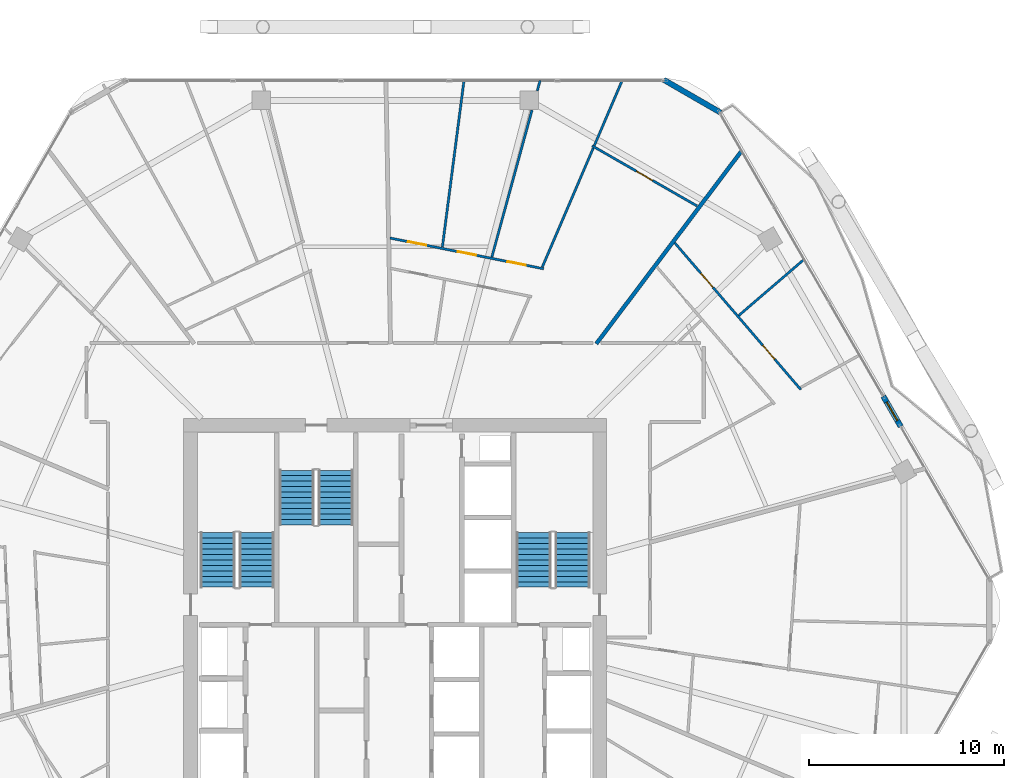
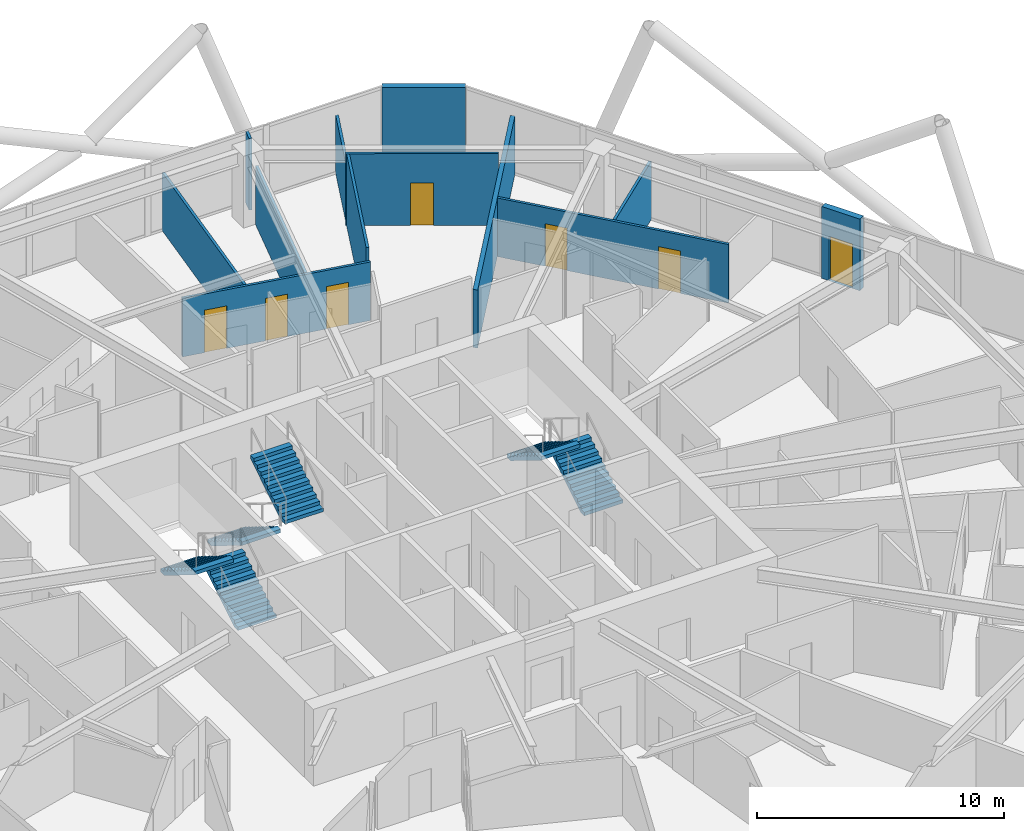
# One storey, part 26 of 29: 12 walls, 7 doors, 6 stair flights, 7 openings, 3 elements without a shape of their own.
"""IFC4 building model written with IfcOpenShell, lengths in metres."""

from ifc_helpers import new_model, si_unit, direction, frame, frame_2d, origin, place, context, subcontext, project, spatial, polyline, rectangle, outline, extrude, material, layer, layer_set, type_object, element, fill, aggregate, save


model = new_model("IFC4")

# Units and contexts
model_context = context("Model", 3, precision=1e-05, world=origin(), true_north=direction((0.0, 1.0)))
body_context = subcontext(model_context, "Body", "Model", "MODEL_VIEW")
ifc_project = project(units=[si_unit("LENGTHUNIT", "METRE"), si_unit("AREAUNIT", "SQUARE_METRE"), si_unit("VOLUMEUNIT", "CUBIC_METRE"), si_unit("PLANEANGLEUNIT", "RADIAN"), si_unit("MASSUNIT", "GRAM", prefix="KILO")], contexts=[model_context])

# Site, building, storey
site_placement = place(None, origin())
site = spatial("IfcSite", under=ifc_project, at=site_placement, CompositionType="ELEMENT")
building_placement = place(site_placement, origin())
building = spatial("IfcBuilding", under=site, at=building_placement, Name="Zuhravey Tower", CompositionType="ELEMENT")
storey_placement = place(building_placement, frame((0.0, 0.0, 192.199951171875)))
storey = spatial("IfcBuildingStorey", under=building, at=storey_placement, Name="L48", CompositionType="ELEMENT", Elevation=192.199951171875)

# Wall
ifc_material_1 = material(Name="Precast concrete C40/50", Category="concrete")
ifc_layer_1 = layer(ifc_material_1, 0.280029296875)
ifc_layer_set_1 = layer_set([ifc_layer_1], Name="Precast concrete C40/50")
wall_type_1 = type_object("IfcWallType", Name="Crown Architectural Wall 280", PredefinedType="SOLIDWALL", material=ifc_layer_set_1)
wall_1_placement = place(storey_placement, frame((49.77880859375, 59.230712890625, 0.0), z_axis=(0.0, 0.0, 1.0), x_axis=(0.866020068361, -0.500009241111, 0.0)))
element("IfcWall", 1, at=wall_1_placement, inside=storey, type_object=wall_type_1, Name="L48 Rounded Corner Closure Wall EW28-10", PredefinedType="SOLIDWALL", context=body_context, shape_type="SweptSolid", body=[
    extrude(rectangle(XDim=3.365234375, YDim=0.280029296875, at=frame_2d((1.6826171875, 0.0))), origin(), (0.0, 0.0, 1.0), 3.550048828125),
])

# Wall, opening, door
wall_2_placement = place(storey_placement, frame((61.041015625, 42.993896484375, 0.0), z_axis=(0.0, 0.0, 1.0), x_axis=(0.500041240653, -0.866001592173, 0.0)))
wall_2 = element("IfcWall", 2, at=wall_2_placement, inside=storey, type_object=wall_type_1, Name="L48 Face 1 Facade Pier EW28-1", PredefinedType="SOLIDWALL", context=body_context, shape_type="SweptSolid", body=[
    extrude(rectangle(XDim=1.789794921875, YDim=0.280029296875, at=frame_2d((0.89501953125, 0.0))), origin(), (0.0, 0.0, 1.0), 3.550048828125),
])
opening_1_placement = place(wall_2_placement, frame((0.344970703125, 0.0, 0.0)))
opening_1 = element("IfcOpeningElement", 3, at=opening_1_placement, cuts=wall_2, Name="Opening BLD1", PredefinedType="OPENING", context=body_context, shape_type="SweptSolid", body=[
    extrude(rectangle(XDim=1.10009765625, YDim=2.199951171875, at=frame_2d((0.550048828125, 1.10009765625))), frame((0.0, 0.152099609375, 0.0), z_axis=(0.0, -1.0, 0.0), x_axis=(1.0, 0.0, 0.0)), (0.0, 0.0, 1.0), 0.303955078125),
])
ifc_material_2 = material(Name="Thermally broken aluminium and low-E glass", Category="aluminium")
door_type_1 = type_object("IfcDoorType", Name="Balcony & Sky-Tray Glazed Door 1100x2200", OperationType="NOTDEFINED", PredefinedType="DOOR", material=ifc_material_2)
door_1_placement = place(opening_1_placement, frame((1.10009765625, 0.0, 0.0), z_axis=(0.0, 0.0, 1.0), x_axis=(-1.0, 0.0, 0.0)))
door_1 = element("IfcDoor", 4, at=door_1_placement, inside=storey, type_object=door_type_1, Name="L48 Face 1 Wave Balcony Door", OperationType="SINGLE_SWING_RIGHT", OverallHeight=2.199951171875, OverallWidth=1.10009765625, PredefinedType="DOOR", context=body_context, shape_type="SweptSolid", body=[
    extrude(rectangle(XDim=1.10009765625, YDim=2.199951171875, at=frame_2d((0.550048828125, 1.10009765625))), frame((0.0, 0.02490234375, 0.0), z_axis=(0.0, -1.0, 0.0), x_axis=(1.0, 0.0, 0.0)), (0.0, 0.0, 1.0), 0.050048828125),
])
fill(opening_1, door_1)

# Wall
ifc_material_3 = material(Name="Gypsum double-stud party assembly")
ifc_layer_2 = layer(ifc_material_3, 0.199951171875)
ifc_layer_set_2 = layer_set([ifc_layer_2], Name="Gypsum double-stud party assembly")
wall_type_2 = type_object("IfcWallType", Name="Inter-Tenancy Party Wall 200", PredefinedType="PARTITIONING", material=ifc_layer_set_2)
wall_3_placement = place(storey_placement, frame((46.316162109375, 45.68994140625, 0.0), z_axis=(0.0, 0.0, 1.0), x_axis=(0.601811441108, 0.798638209299, 0.0)))
element("IfcWall", 5, at=wall_3_placement, inside=storey, type_object=wall_type_2, Name="L48 IW20 Partition 073", PredefinedType="PARTITIONING", context=body_context, shape_type="SweptSolid", body=[
    extrude(rectangle(XDim=12.388916015625, YDim=0.199951171875, at=frame_2d((6.1943359375, 0.0))), origin(), (0.0, 0.0, 1.0), 2.8701171875),
])

# Wall, openings, doors
ifc_material_4 = material(Name="Gypsum metal-stud partition")
ifc_layer_3 = layer(ifc_material_4, 0.1201171875)
ifc_layer_set_3 = layer_set([ifc_layer_3], Name="Gypsum metal-stud partition")
wall_type_3 = type_object("IfcWallType", Name="Unit Internal Partition 120", PredefinedType="PARTITIONING", material=ifc_layer_set_3)
wall_4_placement = place(storey_placement, frame((56.809814453125, 43.335693359375, 0.0), z_axis=(0.0, 0.0, 1.0), x_axis=(-0.651575392226, 0.75858388346, 0.0)))
wall_4 = element("IfcWall", 6, at=wall_4_placement, inside=storey, type_object=wall_type_3, Name="L48 IW12 Partition 021", PredefinedType="PARTITIONING", context=body_context, shape_type="SweptSolid", body=[
    extrude(rectangle(XDim=9.919921875, YDim=0.1201171875, at=frame_2d((4.9599609375, 0.0))), origin(), (0.0, 0.0, 1.0), 2.900146484375),
])
opening_2_placement = place(wall_4_placement, frame((2.054931640625, 0.0, 0.0)))
opening_2 = element("IfcOpeningElement", 7, at=opening_2_placement, cuts=wall_4, Name="Opening IND1", PredefinedType="OPENING", context=body_context, shape_type="SweptSolid", body=[
    extrude(rectangle(XDim=0.949951171875, YDim=2.10009765625, at=frame_2d((0.47509765625, 1.050048828125))), frame((0.0, 0.072021484375, 0.0), z_axis=(0.0, -1.0, 0.0), x_axis=(1.0, 0.0, 0.0)), (0.0, 0.0, 1.0), 0.14404296875),
])
opening_3_placement = place(wall_4_placement, frame((6.914794921875, 0.0, 0.0)))
opening_3 = element("IfcOpeningElement", 8, at=opening_3_placement, cuts=wall_4, Name="Opening IND1", PredefinedType="OPENING", context=body_context, shape_type="SweptSolid", body=[
    extrude(rectangle(XDim=0.949951171875, YDim=2.10009765625, at=frame_2d((0.47509765625, 1.050048828125))), frame((0.0, 0.072021484375, 0.0), z_axis=(0.0, -1.0, 0.0), x_axis=(1.0, 0.0, 0.0)), (0.0, 0.0, 1.0), 0.14404296875),
])
ifc_material_5 = material(Name="Painted engineered timber leaf", Category="wood")
door_type_2 = type_object("IfcDoorType", Name="Internal Room & Bedroom Door 950x2100", OperationType="NOTDEFINED", PredefinedType="DOOR", material=ifc_material_5)
door_2_placement = place(opening_2_placement, frame((0.949951171875, 0.0, 0.0), z_axis=(0.0, 0.0, 1.0), x_axis=(-1.0, 0.0, 0.0)))
door_2 = element("IfcDoor", 9, at=door_2_placement, inside=storey, type_object=door_type_2, Name="Apartment L48-01 Bedroom 1 Door", OperationType="SINGLE_SWING_LEFT", OverallHeight=2.10009765625, OverallWidth=0.949951171875, PredefinedType="DOOR", context=body_context, shape_type="SweptSolid", body=[
    extrude(rectangle(XDim=0.949951171875, YDim=2.10009765625, at=frame_2d((0.47509765625, 1.050048828125))), frame((0.0, 0.02490234375, 0.0), z_axis=(0.0, -1.0, 0.0), x_axis=(1.0, 0.0, 0.0)), (0.0, 0.0, 1.0), 0.050048828125),
])
fill(opening_2, door_2)
door_3_placement = place(opening_3_placement, frame((0.949951171875, 0.0, 0.0), z_axis=(0.0, 0.0, 1.0), x_axis=(-1.0, 0.0, 0.0)))
door_3 = element("IfcDoor", 10, at=door_3_placement, inside=storey, type_object=door_type_2, Name="Apartment L48-01 Bedroom 2 Door", OperationType="SINGLE_SWING_RIGHT", OverallHeight=2.10009765625, OverallWidth=0.949951171875, PredefinedType="DOOR", context=body_context, shape_type="SweptSolid", body=[
    extrude(rectangle(XDim=0.949951171875, YDim=2.10009765625, at=frame_2d((0.47509765625, 1.050048828125))), frame((0.0, 0.02490234375, 0.0), z_axis=(0.0, -1.0, 0.0), x_axis=(1.0, 0.0, 0.0)), (0.0, 0.0, 1.0), 0.050048828125),
])
fill(opening_3, door_3)

# Wall, opening, door
wall_5_placement = place(storey_placement, frame((51.484619140625, 52.75830078125, 0.0), z_axis=(0.0, 0.0, 1.0), x_axis=(-0.86742606269, 0.497566101907, 0.0)))
wall_5 = element("IfcWall", 11, at=wall_5_placement, inside=storey, type_object=wall_type_3, Name="L48 IW12 Partition 023", PredefinedType="PARTITIONING", context=body_context, shape_type="SweptSolid", body=[
    extrude(rectangle(XDim=6.20556640625, YDim=0.1201171875, at=frame_2d((3.102783203125, 0.0))), origin(), (0.0, 0.0, 1.0), 3.550048828125),
])
opening_4_placement = place(wall_5_placement, frame((2.627685546875, 0.0, 0.0)))
opening_4 = element("IfcOpeningElement", 12, at=opening_4_placement, cuts=wall_5, Name="Opening IND1", PredefinedType="OPENING", context=body_context, shape_type="SweptSolid", body=[
    extrude(rectangle(XDim=0.949951171875, YDim=2.10009765625, at=frame_2d((0.47509765625, 1.050048828125))), frame((0.0, 0.072021484375, 0.0), z_axis=(0.0, -1.0, 0.0), x_axis=(1.0, 0.0, 0.0)), (0.0, 0.0, 1.0), 0.14404296875),
])
door_4_placement = place(opening_4_placement, frame((0.949951171875, 0.0, 0.0), z_axis=(0.0, 0.0, 1.0), x_axis=(-1.0, 0.0, 0.0)))
door_4 = element("IfcDoor", 13, at=door_4_placement, inside=storey, type_object=door_type_2, Name="Apartment L48-02 Family Study Door", OperationType="SINGLE_SWING_RIGHT", OverallHeight=2.10009765625, OverallWidth=0.949951171875, PredefinedType="DOOR", context=body_context, shape_type="SweptSolid", body=[
    extrude(rectangle(XDim=0.949951171875, YDim=2.10009765625, at=frame_2d((0.47509765625, 1.050048828125))), frame((0.0, 0.02490234375, 0.0), z_axis=(0.0, -1.0, 0.0), x_axis=(1.0, 0.0, 0.0)), (0.0, 0.0, 1.0), 0.050048828125),
])
fill(opening_4, door_4)

# Wall, openings, doors
wall_6_placement = place(storey_placement, frame((43.616455078125, 49.533447265625, 0.0), z_axis=(0.0, 0.0, 1.0), x_axis=(-0.980475426361, 0.196641649461, 0.0)))
wall_6 = element("IfcWall", 14, at=wall_6_placement, inside=storey, type_object=wall_type_3, Name="L48 IW12 Partition 025", PredefinedType="PARTITIONING", context=body_context, shape_type="SweptSolid", body=[
    extrude(rectangle(XDim=8.040283203125, YDim=0.1201171875, at=frame_2d((4.02001953125, 0.0))), origin(), (0.0, 0.0, 1.0), 2.900146484375),
])
opening_5_placement = place(wall_6_placement, frame((0.940185546875, 0.0, 0.0)))
opening_5 = element("IfcOpeningElement", 15, at=opening_5_placement, cuts=wall_6, Name="Opening IND1", PredefinedType="OPENING", context=body_context, shape_type="SweptSolid", body=[
    extrude(rectangle(XDim=0.949951171875, YDim=2.10009765625, at=frame_2d((0.47509765625, 1.050048828125))), frame((0.0, 0.072021484375, 0.0), z_axis=(0.0, -1.0, 0.0), x_axis=(1.0, 0.0, 0.0)), (0.0, 0.0, 1.0), 0.14404296875),
])
opening_6_placement = place(wall_6_placement, frame((3.545166015625, 0.0, 0.0)))
opening_6 = element("IfcOpeningElement", 16, at=opening_6_placement, cuts=wall_6, Name="Opening IND1", PredefinedType="OPENING", context=body_context, shape_type="SweptSolid", body=[
    extrude(rectangle(XDim=0.949951171875, YDim=2.10009765625, at=frame_2d((0.47509765625, 1.050048828125))), frame((0.0, 0.072021484375, 0.0), z_axis=(0.0, -1.0, 0.0), x_axis=(1.0, 0.0, 0.0)), (0.0, 0.0, 1.0), 0.14404296875),
])
opening_7_placement = place(wall_6_placement, frame((6.14990234375, 0.0, 0.0)))
opening_7 = element("IfcOpeningElement", 17, at=opening_7_placement, cuts=wall_6, Name="Opening IND1", PredefinedType="OPENING", context=body_context, shape_type="SweptSolid", body=[
    extrude(rectangle(XDim=0.949951171875, YDim=2.10009765625, at=frame_2d((0.47509765625, 1.050048828125))), frame((0.0, 0.072021484375, 0.0), z_axis=(0.0, -1.0, 0.0), x_axis=(1.0, 0.0, 0.0)), (0.0, 0.0, 1.0), 0.14404296875),
])
door_5_placement = place(opening_5_placement, frame((0.949951171875, 0.0, 0.0), z_axis=(0.0, 0.0, 1.0), x_axis=(-1.0, 0.0, 0.0)))
door_5 = element("IfcDoor", 18, at=door_5_placement, inside=storey, type_object=door_type_2, Name="Apartment L48-02 Bedroom 1 Door", OperationType="SINGLE_SWING_LEFT", OverallHeight=2.10009765625, OverallWidth=0.949951171875, PredefinedType="DOOR", context=body_context, shape_type="SweptSolid", body=[
    extrude(rectangle(XDim=0.949951171875, YDim=2.10009765625, at=frame_2d((0.47509765625, 1.050048828125))), frame((0.0, 0.02490234375, 0.0), z_axis=(0.0, -1.0, 0.0), x_axis=(1.0, 0.0, 0.0)), (0.0, 0.0, 1.0), 0.050048828125),
])
fill(opening_5, door_5)
door_6_placement = place(opening_6_placement, frame((0.949951171875, 0.0, 0.0), z_axis=(0.0, 0.0, 1.0), x_axis=(-1.0, 0.0, 0.0)))
door_6 = element("IfcDoor", 19, at=door_6_placement, inside=storey, type_object=door_type_2, Name="Apartment L48-02 Bedroom 2 Door", OperationType="SINGLE_SWING_RIGHT", OverallHeight=2.10009765625, OverallWidth=0.949951171875, PredefinedType="DOOR", context=body_context, shape_type="SweptSolid", body=[
    extrude(rectangle(XDim=0.949951171875, YDim=2.10009765625, at=frame_2d((0.47509765625, 1.050048828125))), frame((0.0, 0.02490234375, 0.0), z_axis=(0.0, -1.0, 0.0), x_axis=(1.0, 0.0, 0.0)), (0.0, 0.0, 1.0), 0.050048828125),
])
fill(opening_6, door_6)
door_7_placement = place(opening_7_placement, frame((0.949951171875, 0.0, 0.0), z_axis=(0.0, 0.0, 1.0), x_axis=(-1.0, 0.0, 0.0)))
door_7 = element("IfcDoor", 20, at=door_7_placement, inside=storey, type_object=door_type_2, Name="Apartment L48-02 Bedroom 3 Door", OperationType="SINGLE_SWING_LEFT", OverallHeight=2.10009765625, OverallWidth=0.949951171875, PredefinedType="DOOR", context=body_context, shape_type="SweptSolid", body=[
    extrude(rectangle(XDim=0.949951171875, YDim=2.10009765625, at=frame_2d((0.47509765625, 1.050048828125))), frame((0.0, 0.02490234375, 0.0), z_axis=(0.0, -1.0, 0.0), x_axis=(1.0, 0.0, 0.0)), (0.0, 0.0, 1.0), 0.050048828125),
])
fill(opening_7, door_7)

# Walls
wall_7_placement = place(storey_placement, frame((53.629638671875, 47.142578125, 0.0), z_axis=(0.0, 0.0, 1.0), x_axis=(0.758610544746, 0.651544351062, 0.0)))
element("IfcWall", 21, at=wall_7_placement, inside=storey, type_object=wall_type_3, Name="L48 IW12 Partition 070", PredefinedType="PARTITIONING", context=body_context, shape_type="SweptSolid", body=[
    extrude(rectangle(XDim=4.4306640625, YDim=0.1201171875, at=frame_2d((2.21533203125, 0.0))), origin(), (0.0, 0.0, 1.0), 2.8701171875),
])
wall_8_placement = place(storey_placement, frame((40.95703125, 50.13623046875, 0.0), z_axis=(0.0, 0.0, 1.0), x_axis=(0.263645815737, 0.964619553941, 0.0)))
element("IfcWall", 22, at=wall_8_placement, inside=storey, type_object=wall_type_3, Name="L48 IW12 Partition 075", PredefinedType="PARTITIONING", context=body_context, shape_type="SweptSolid", body=[
    extrude(rectangle(XDim=7.818359375, YDim=0.1201171875, at=frame_2d((3.9091796875, 0.0))), origin(), (0.0, 0.0, 1.0), 2.900146484375),
])
wall_9_placement = place(storey_placement, frame((43.288818359375, 58.668212890625, 0.0), z_axis=(0.0, 0.0, 1.0), x_axis=(0.263800653892, 0.964577220862, 0.0)))
element("IfcWall", 23, at=wall_9_placement, inside=storey, type_object=wall_type_3, Name="L48 IW12 Partition 076", PredefinedType="PARTITIONING", context=body_context, shape_type="SweptSolid", body=[
    extrude(rectangle(XDim=0.544189453125, YDim=0.1201171875, at=frame_2d((0.27197265625, 0.0))), origin(), (0.0, 0.0, 1.0), 3.550048828125),
])
wall_10_placement = place(storey_placement, frame((38.419189453125, 50.64501953125, 0.0), z_axis=(0.0, 0.0, 1.0), x_axis=(0.128701040878, 0.99168343844, 0.0)))
element("IfcWall", 24, at=wall_10_placement, inside=storey, type_object=wall_type_3, Name="L48 IW12 Partition 077", PredefinedType="PARTITIONING", context=body_context, shape_type="SweptSolid", body=[
    extrude(rectangle(XDim=8.619873046875, YDim=0.1201171875, at=frame_2d((4.31005859375, 0.0))), origin(), (0.0, 0.0, 1.0), 2.8701171875),
])
wall_11_placement = place(storey_placement, frame((43.543701171875, 49.617431640625, 0.0), z_axis=(0.0, 0.0, 1.0), x_axis=(0.393600370301, 0.919281648081, 0.0)))
element("IfcWall", 25, at=wall_11_placement, inside=storey, type_object=wall_type_3, Name="L48 IW12 Partition 079", PredefinedType="PARTITIONING", context=body_context, shape_type="SweptSolid", body=[
    extrude(rectangle(XDim=6.65234375, YDim=0.1201171875, at=frame_2d((3.326171875, 0.0))), origin(), (0.0, 0.0, 1.0), 3.550048828125),
])
wall_12_placement = place(storey_placement, frame((46.216064453125, 55.85888671875, 0.0), z_axis=(0.0, 0.0, 1.0), x_axis=(0.393594079786, 0.919284341408, 0.0)))
element("IfcWall", 26, at=wall_12_placement, inside=storey, type_object=wall_type_3, Name="L48 IW12 Partition 080", PredefinedType="PARTITIONING", context=body_context, shape_type="SweptSolid", body=[
    extrude(rectangle(XDim=3.624267578125, YDim=0.1201171875, at=frame_2d((1.81201171875, 0.0))), origin(), (0.0, 0.0, 1.0), 2.8701171875),
])

# Stair, stair flights
ifc_material_6 = material(Name="Concrete C40/50", Category="concrete")
stair_type = type_object("IfcStairType", Name="Housing Storey Stair Assembly 3800", PredefinedType="HALF_TURN_STAIR", material=ifc_material_6)
stair_1_placement = place(storey_placement, origin())
stair_1 = element("IfcStair", 27, at=stair_1_placement, inside=storey, type_object=stair_type, Name="L48 Core Exit Stair ST1", PredefinedType="HALF_TURN_STAIR")
stair_flight_type = type_object("IfcStairFlightType", Name="Housing Storey Stair Flight 3800", PredefinedType="STRAIGHT", material=ifc_material_6)
stair_flight_1_placement = place(storey_placement, frame((28.89990234375, 33.199951171875, 0.0), z_axis=(0.0, 0.0, 1.0), x_axis=(0.0, 1.0, 0.0)))
stair_flight_1 = element("IfcStairFlight", 28, at=stair_flight_1_placement, type_object=stair_flight_type, Name="ST1 flight 1", NumberOfRisers=11, NumberOfTreads=10, PredefinedType="STRAIGHT", RiserHeight=0.172727273, TreadLength=0.28, context=body_context, shape_type="SweptSolid", body=[
    extrude(outline(polyline([(0.0, 0.0), (0.0, 0.172607421875), (0.280029296875, 0.172607421875), (0.280029296875, 0.345458984375), (0.56005859375, 0.345458984375), (0.56005859375, 0.51806640625), (0.840087890625, 0.51806640625), (0.840087890625, 0.69091796875), (1.1201171875, 0.69091796875), (1.1201171875, 0.863525390625), (1.39990234375, 0.863525390625), (1.39990234375, 1.036376953125), (1.679931640625, 1.036376953125), (1.679931640625, 1.208984375), (1.9599609375, 1.208984375), (1.9599609375, 1.3818359375), (2.239990234375, 1.3818359375), (2.239990234375, 1.554443359375), (2.52001953125, 1.554443359375), (2.52001953125, 1.727294921875), (2.800048828125, 1.727294921875), (2.800048828125, 1.89990234375), (2.800048828125, 1.551025390625), (0.285400390625, 0.0), (0.0, 0.0)])), frame((0.0, 0.89990234375, 0.0), z_axis=(0.0, -1.0, 0.0), x_axis=(1.0, 0.0, 0.0)), (0.0, 0.0, 1.0), 1.800048828125),
])
stair_flight_2_placement = place(storey_placement, frame((26.89990234375, 36.0, 1.900146484375), z_axis=(0.0, 0.0, 1.0), x_axis=(0.0, -1.0, 0.0)))
stair_flight_2 = element("IfcStairFlight", 29, at=stair_flight_2_placement, type_object=stair_flight_type, Name="ST1 flight 2", NumberOfRisers=11, NumberOfTreads=10, PredefinedType="STRAIGHT", RiserHeight=0.172727273, TreadLength=0.28, context=body_context, shape_type="SweptSolid", body=[
    extrude(outline(polyline([(0.0, 0.0), (0.0, 0.172607421875), (0.280029296875, 0.172607421875), (0.280029296875, 0.345458984375), (0.56005859375, 0.345458984375), (0.56005859375, 0.51806640625), (0.840087890625, 0.51806640625), (0.840087890625, 0.69091796875), (1.1201171875, 0.69091796875), (1.1201171875, 0.863525390625), (1.39990234375, 0.863525390625), (1.39990234375, 1.036376953125), (1.679931640625, 1.036376953125), (1.679931640625, 1.208984375), (1.9599609375, 1.208984375), (1.9599609375, 1.3818359375), (2.239990234375, 1.3818359375), (2.239990234375, 1.554443359375), (2.52001953125, 1.554443359375), (2.52001953125, 1.727294921875), (2.800048828125, 1.727294921875), (2.800048828125, 1.89990234375), (2.800048828125, 1.551025390625), (0.285400390625, 0.0), (0.0, 0.0)])), frame((0.0, 0.89990234375, 0.0), z_axis=(0.0, -1.0, 0.0), x_axis=(1.0, 0.0, 0.0)), (0.0, 0.0, 1.0), 1.800048828125),
])
aggregate(stair_1, [stair_flight_1, stair_flight_2])

stair_2_placement = place(storey_placement, origin())
stair_2 = element("IfcStair", 30, at=stair_2_placement, inside=storey, type_object=stair_type, Name="L48 Core Exit Stair ST2", PredefinedType="HALF_TURN_STAIR")
stair_flight_3_placement = place(storey_placement, frame((45.10009765625, 33.199951171875, 0.0), z_axis=(0.0, 0.0, 1.0), x_axis=(0.0, 1.0, 0.0)))
stair_flight_3 = element("IfcStairFlight", 31, at=stair_flight_3_placement, type_object=stair_flight_type, Name="ST2 flight 1", NumberOfRisers=11, NumberOfTreads=10, PredefinedType="STRAIGHT", RiserHeight=0.172727273, TreadLength=0.28, context=body_context, shape_type="SweptSolid", body=[
    extrude(outline(polyline([(0.0, 0.0), (0.0, 0.172607421875), (0.280029296875, 0.172607421875), (0.280029296875, 0.345458984375), (0.56005859375, 0.345458984375), (0.56005859375, 0.51806640625), (0.840087890625, 0.51806640625), (0.840087890625, 0.69091796875), (1.1201171875, 0.69091796875), (1.1201171875, 0.863525390625), (1.39990234375, 0.863525390625), (1.39990234375, 1.036376953125), (1.679931640625, 1.036376953125), (1.679931640625, 1.208984375), (1.9599609375, 1.208984375), (1.9599609375, 1.3818359375), (2.239990234375, 1.3818359375), (2.239990234375, 1.554443359375), (2.52001953125, 1.554443359375), (2.52001953125, 1.727294921875), (2.800048828125, 1.727294921875), (2.800048828125, 1.89990234375), (2.800048828125, 1.551025390625), (0.285400390625, 0.0), (0.0, 0.0)])), frame((0.0, 0.89990234375, 0.0), z_axis=(0.0, -1.0, 0.0), x_axis=(1.0, 0.0, 0.0)), (0.0, 0.0, 1.0), 1.800048828125),
])
stair_flight_4_placement = place(storey_placement, frame((43.10009765625, 36.0, 1.900146484375), z_axis=(0.0, 0.0, 1.0), x_axis=(0.0, -1.0, 0.0)))
stair_flight_4 = element("IfcStairFlight", 32, at=stair_flight_4_placement, type_object=stair_flight_type, Name="ST2 flight 2", NumberOfRisers=11, NumberOfTreads=10, PredefinedType="STRAIGHT", RiserHeight=0.172727273, TreadLength=0.28, context=body_context, shape_type="SweptSolid", body=[
    extrude(outline(polyline([(0.0, 0.0), (0.0, 0.172607421875), (0.280029296875, 0.172607421875), (0.280029296875, 0.345458984375), (0.56005859375, 0.345458984375), (0.56005859375, 0.51806640625), (0.840087890625, 0.51806640625), (0.840087890625, 0.69091796875), (1.1201171875, 0.69091796875), (1.1201171875, 0.863525390625), (1.39990234375, 0.863525390625), (1.39990234375, 1.036376953125), (1.679931640625, 1.036376953125), (1.679931640625, 1.208984375), (1.9599609375, 1.208984375), (1.9599609375, 1.3818359375), (2.239990234375, 1.3818359375), (2.239990234375, 1.554443359375), (2.52001953125, 1.554443359375), (2.52001953125, 1.727294921875), (2.800048828125, 1.727294921875), (2.800048828125, 1.89990234375), (2.800048828125, 1.551025390625), (0.285400390625, 0.0), (0.0, 0.0)])), frame((0.0, 0.89990234375, 0.0), z_axis=(0.0, -1.0, 0.0), x_axis=(1.0, 0.0, 0.0)), (0.0, 0.0, 1.0), 1.800048828125),
])
aggregate(stair_2, [stair_flight_3, stair_flight_4])

stair_3_placement = place(storey_placement, origin())
stair_3 = element("IfcStair", 33, at=stair_3_placement, inside=storey, type_object=stair_type, Name="L48 Core Exit Stair ST3", PredefinedType="HALF_TURN_STAIR")
stair_flight_5_placement = place(storey_placement, frame((30.949951171875, 39.199951171875, 0.0), z_axis=(0.0, 0.0, 1.0), x_axis=(0.0, -1.0, 0.0)))
stair_flight_5 = element("IfcStairFlight", 34, at=stair_flight_5_placement, type_object=stair_flight_type, Name="ST3 flight 1", NumberOfRisers=11, NumberOfTreads=10, PredefinedType="STRAIGHT", RiserHeight=0.172727273, TreadLength=0.28, context=body_context, shape_type="SweptSolid", body=[
    extrude(outline(polyline([(0.0, 0.0), (0.0, 0.172607421875), (0.280029296875, 0.172607421875), (0.280029296875, 0.345458984375), (0.56005859375, 0.345458984375), (0.56005859375, 0.51806640625), (0.840087890625, 0.51806640625), (0.840087890625, 0.69091796875), (1.1201171875, 0.69091796875), (1.1201171875, 0.863525390625), (1.39990234375, 0.863525390625), (1.39990234375, 1.036376953125), (1.679931640625, 1.036376953125), (1.679931640625, 1.208984375), (1.9599609375, 1.208984375), (1.9599609375, 1.3818359375), (2.239990234375, 1.3818359375), (2.239990234375, 1.554443359375), (2.52001953125, 1.554443359375), (2.52001953125, 1.727294921875), (2.800048828125, 1.727294921875), (2.800048828125, 1.89990234375), (2.800048828125, 1.551025390625), (0.285400390625, 0.0), (0.0, 0.0)])), frame((0.0, 0.89990234375, 0.0), z_axis=(0.0, -1.0, 0.0), x_axis=(1.0, 0.0, 0.0)), (0.0, 0.0, 1.0), 1.800048828125),
])
stair_flight_6_placement = place(storey_placement, frame((32.949951171875, 36.39990234375, 1.900146484375), z_axis=(0.0, 0.0, 1.0), x_axis=(0.0, 1.0, 0.0)))
stair_flight_6 = element("IfcStairFlight", 35, at=stair_flight_6_placement, type_object=stair_flight_type, Name="ST3 flight 2", NumberOfRisers=11, NumberOfTreads=10, PredefinedType="STRAIGHT", RiserHeight=0.172727273, TreadLength=0.28, context=body_context, shape_type="SweptSolid", body=[
    extrude(outline(polyline([(0.0, 0.0), (0.0, 0.172607421875), (0.280029296875, 0.172607421875), (0.280029296875, 0.345458984375), (0.56005859375, 0.345458984375), (0.56005859375, 0.51806640625), (0.840087890625, 0.51806640625), (0.840087890625, 0.69091796875), (1.1201171875, 0.69091796875), (1.1201171875, 0.863525390625), (1.39990234375, 0.863525390625), (1.39990234375, 1.036376953125), (1.679931640625, 1.036376953125), (1.679931640625, 1.208984375), (1.9599609375, 1.208984375), (1.9599609375, 1.3818359375), (2.239990234375, 1.3818359375), (2.239990234375, 1.554443359375), (2.52001953125, 1.554443359375), (2.52001953125, 1.727294921875), (2.800048828125, 1.727294921875), (2.800048828125, 1.89990234375), (2.800048828125, 1.551025390625), (0.285400390625, 0.0), (0.0, 0.0)])), frame((0.0, 0.89990234375, 0.0), z_axis=(0.0, -1.0, 0.0), x_axis=(1.0, 0.0, 0.0)), (0.0, 0.0, 1.0), 1.800048828125),
])
aggregate(stair_3, [stair_flight_5, stair_flight_6])

save(model, "model.ifc")
